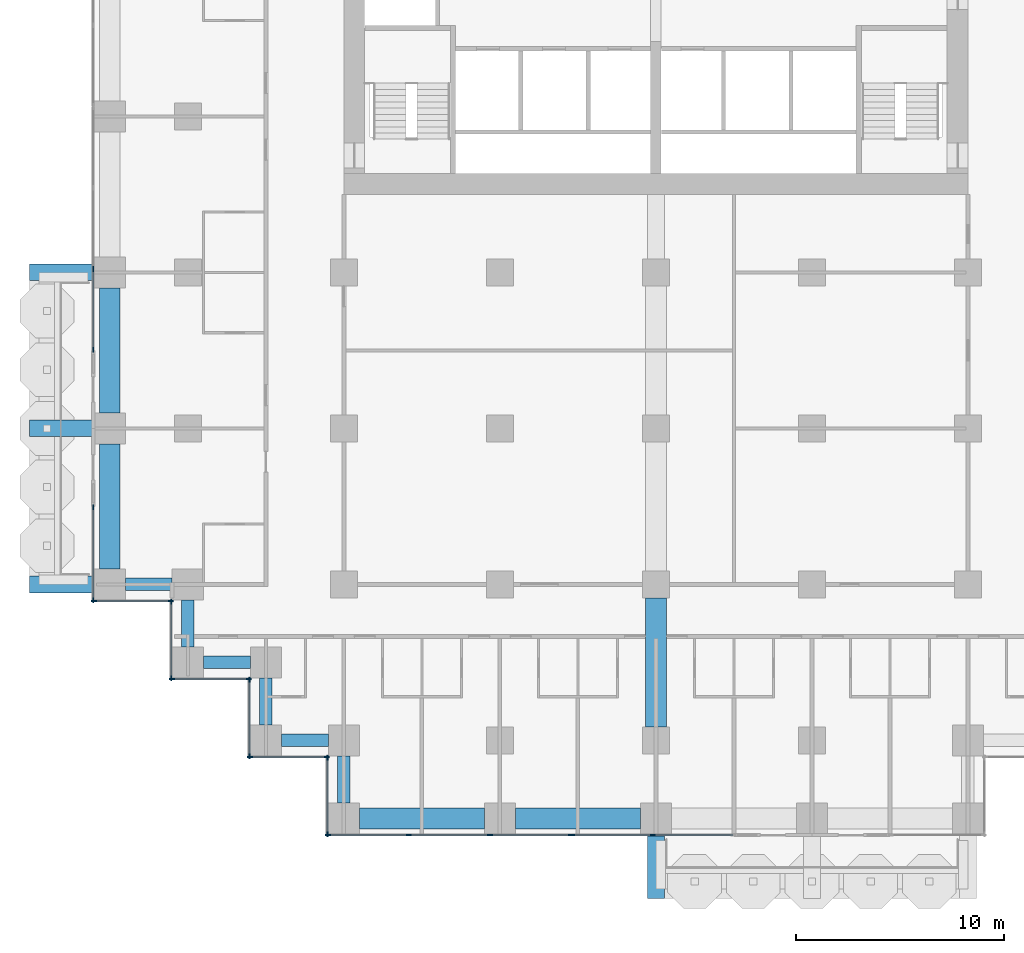
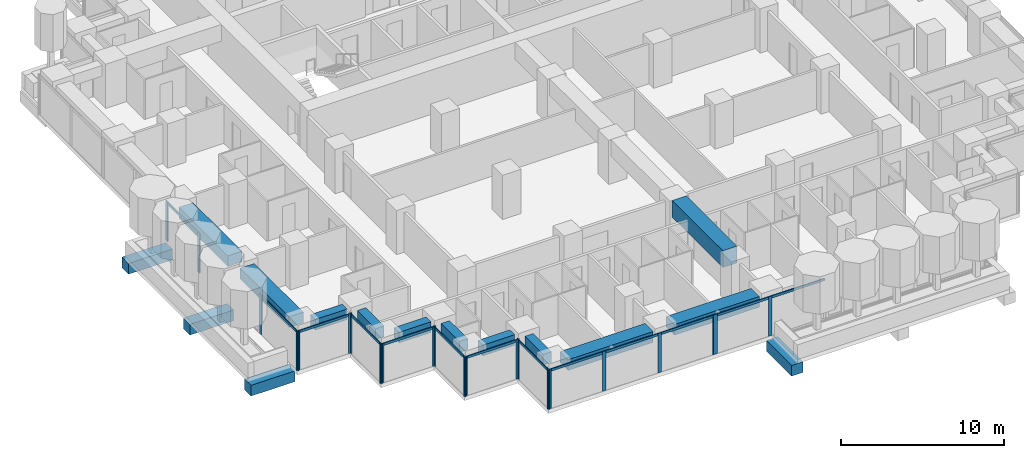
# One storey, part 2 of 20: 35 members, 15 beams, 10 elements without a shape of their own.
"""IFC4 building model written with IfcOpenShell, lengths in metres."""

from ifc_helpers import new_model, si_unit, direction, frame, origin, origin_2d, place, context, subcontext, project, spatial, rectangle, extrude, material, material_profile, profile_set, type_object, element, aggregate, save


model = new_model("IFC4")

# Units and contexts
model_context = context("Model", 3, precision=1e-05, world=origin(), true_north=direction((0.0, 1.0)))
body_context = subcontext(model_context, "Body", "Model", "MODEL_VIEW")
ifc_project = project(units=[si_unit("LENGTHUNIT", "METRE"), si_unit("AREAUNIT", "SQUARE_METRE"), si_unit("VOLUMEUNIT", "CUBIC_METRE"), si_unit("PLANEANGLEUNIT", "RADIAN"), si_unit("MASSUNIT", "GRAM", prefix="KILO")], contexts=[model_context])

# Site, building, storey
site_placement = place(None, origin())
site = spatial("IfcSite", under=ifc_project, at=site_placement, CompositionType="ELEMENT")
building_placement = place(site_placement, origin())
building = spatial("IfcBuilding", under=site, at=building_placement, Name="Pilkhan Gate Tower", CompositionType="ELEMENT")
storey_placement = place(building_placement, frame((0.0, 0.0, 98.89990234375)))
storey = spatial("IfcBuildingStorey", under=building, at=storey_placement, Name="L24", CompositionType="ELEMENT", Elevation=98.89990234375)

# Beams
ifc_material_1 = material(Name="Concrete C50/60", Category="concrete")
ifc_material_profile_1 = material_profile(ifc_material_1, rectangle(XDim=0.800048828125, YDim=0.800048828125, at=origin_2d()), Name="RC 800x800")
ifc_profile_set_1 = profile_set([ifc_material_profile_1], Name="Concrete C50/60")
beam_type_1 = type_object("IfcBeamType", Name="Cantilever beam CB2 RC 800x800 C50/60", PredefinedType="BEAM", material=ifc_profile_set_1)
for number, where, z_axis, x_axis, name in (
    (1, (75.0, 40.5, -0.699951171875), (0.0, -1.0, 0.0), (1.0, 0.0, 0.0), "Balcony beam S.1 L24"),
    (2, (48.0, 52.5, -0.699951171875), (-1.0, 0.0, 0.0), (0.0, -1.0, 0.0), "Balcony beam W.1 L24"),
    (3, (48.0, 60.0, -0.699951171875), (-1.0, 0.0, 0.0), (0.0, -1.0, 0.0), "Balcony beam W.2 L24"),
    (4, (48.0, 67.5, -0.699951171875), (-1.0, 0.0, 0.0), (0.0, -1.0, 0.0), "Balcony beam W.3 L24"),
):
    element("IfcBeam", number, at=place(storey_placement, frame(where, z_axis=z_axis, x_axis=x_axis)), inside=storey, type_object=beam_type_1, Name=name, PredefinedType="BEAM", context=body_context, shape_type="SweptSolid", body=[
        extrude(rectangle(XDim=0.800048828125, YDim=0.800048828125, at=origin_2d()), origin(), (0.0, 0.0, 1.0), 3.10009765625),
    ])

# Curtain wall, members
ifc_material_2 = material(Name="Pale anodised aluminium, clear low-iron double glazing", Category="aluminium")
curtain_wall_type = type_object("IfcCurtainWallType", Name="Hotel unitised curtain wall CW-H", PredefinedType="USERDEFINED", material=ifc_material_2)
curtain_wall_1_placement = place(storey_placement, origin())
curtain_wall_1 = element("IfcCurtainWall", 5, at=curtain_wall_1_placement, inside=storey, type_object=curtain_wall_type, Name="Hotel unitised curtain wall CW-H L24 W", ObjectType="UNITISED CURTAIN WALL", PredefinedType="USERDEFINED")
ifc_material_3 = material(Name="Pale anodised aluminium", Category="aluminium")
ifc_material_profile_2 = material_profile(ifc_material_3, rectangle(XDim=0.06494140625, YDim=0.25, at=origin_2d()), Name="Mullion 250x65")
ifc_profile_set_2 = profile_set([ifc_material_profile_2], Name="Pale anodised aluminium")
member_type_1 = type_object("IfcMemberType", Name="Mullion CW-H 250x65", PredefinedType="MULLION", material=ifc_profile_set_2)
member_1_placement = place(storey_placement, frame((47.955078125, 51.737548828125, 0.0), z_axis=(0.0, 0.0, 1.0), x_axis=(-1.0, 0.0, 0.0)))
member_1 = element("IfcMember", 6, at=member_1_placement, type_object=member_type_1, Name="CW-H mullion 1", PredefinedType="MULLION", context=body_context, shape_type="SweptSolid", body=[
    extrude(rectangle(XDim=0.06494140625, YDim=0.25, at=origin_2d()), origin(), (0.0, 0.0, 1.0), 2.9501953125),
])
member_2_placement = place(storey_placement, frame((47.955078125, 56.217529296875, 0.0), z_axis=(0.0, 0.0, 1.0), x_axis=(-1.0, 0.0, 0.0)))
member_2 = element("IfcMember", 7, at=member_2_placement, type_object=member_type_1, Name="CW-H mullion 2", PredefinedType="MULLION", context=body_context, shape_type="SweptSolid", body=[
    extrude(rectangle(XDim=0.06494140625, YDim=0.25, at=origin_2d()), origin(), (0.0, 0.0, 1.0), 2.9501953125),
])

curtain_wall_2_placement = place(storey_placement, origin())
curtain_wall_2 = element("IfcCurtainWall", 8, at=curtain_wall_2_placement, inside=storey, type_object=curtain_wall_type, Name="Hotel unitised curtain wall CW-H L24 W", ObjectType="UNITISED CURTAIN WALL", PredefinedType="USERDEFINED")
member_3_placement = place(storey_placement, frame((47.955078125, 63.782470703125, 0.0), z_axis=(0.0, 0.0, 1.0), x_axis=(-1.0, 0.0, 0.0)))
member_3 = element("IfcMember", 9, at=member_3_placement, type_object=member_type_1, Name="CW-H mullion 1", PredefinedType="MULLION", context=body_context, shape_type="SweptSolid", body=[
    extrude(rectangle(XDim=0.06494140625, YDim=0.25, at=origin_2d()), origin(), (0.0, 0.0, 1.0), 2.9501953125),
])
member_4_placement = place(storey_placement, frame((47.955078125, 67.658935546875, 0.0), z_axis=(0.0, 0.0, 1.0), x_axis=(-1.0, 0.0, 0.0)))
member_4 = element("IfcMember", 10, at=member_4_placement, type_object=member_type_1, Name="CW-H mullion 2", PredefinedType="MULLION", context=body_context, shape_type="SweptSolid", body=[
    extrude(rectangle(XDim=0.06494140625, YDim=0.25, at=origin_2d()), origin(), (0.0, 0.0, 1.0), 2.9501953125),
])

curtain_wall_3_placement = place(storey_placement, origin())
curtain_wall_3 = element("IfcCurtainWall", 11, at=curtain_wall_3_placement, inside=storey, type_object=curtain_wall_type, Name="Hotel unitised curtain wall CW-H L24 S", ObjectType="UNITISED CURTAIN WALL", PredefinedType="USERDEFINED")
member_5_placement = place(storey_placement, frame((47.987548828125, 51.705078125, 0.0), z_axis=(0.0, 0.0, 1.0), x_axis=(0.0, 1.0, 0.0)))
member_5 = element("IfcMember", 12, at=member_5_placement, type_object=member_type_1, Name="CW-H mullion 1", PredefinedType="MULLION", context=body_context, shape_type="SweptSolid", body=[
    extrude(rectangle(XDim=0.06494140625, YDim=0.25, at=origin_2d()), origin(), (0.0, 0.0, 1.0), 2.9501953125),
])
member_6_placement = place(storey_placement, frame((51.672607421875, 51.705078125, 0.0), z_axis=(0.0, 0.0, 1.0), x_axis=(0.0, 1.0, 0.0)))
member_6 = element("IfcMember", 13, at=member_6_placement, type_object=member_type_1, Name="CW-H mullion 2", PredefinedType="MULLION", context=body_context, shape_type="SweptSolid", body=[
    extrude(rectangle(XDim=0.06494140625, YDim=0.25, at=origin_2d()), origin(), (0.0, 0.0, 1.0), 2.9501953125),
])

curtain_wall_4_placement = place(storey_placement, origin())
curtain_wall_4 = element("IfcCurtainWall", 14, at=curtain_wall_4_placement, inside=storey, type_object=curtain_wall_type, Name="Hotel unitised curtain wall CW-H L24 W", ObjectType="UNITISED CURTAIN WALL", PredefinedType="USERDEFINED")
member_7_placement = place(storey_placement, frame((51.705078125, 47.987548828125, 0.0), z_axis=(0.0, 0.0, 1.0), x_axis=(-1.0, 0.0, 0.0)))
member_7 = element("IfcMember", 15, at=member_7_placement, type_object=member_type_1, Name="CW-H mullion 1", PredefinedType="MULLION", context=body_context, shape_type="SweptSolid", body=[
    extrude(rectangle(XDim=0.06494140625, YDim=0.25, at=origin_2d()), origin(), (0.0, 0.0, 1.0), 2.9501953125),
])
member_8_placement = place(storey_placement, frame((51.705078125, 51.672607421875, 0.0), z_axis=(0.0, 0.0, 1.0), x_axis=(-1.0, 0.0, 0.0)))
member_8 = element("IfcMember", 16, at=member_8_placement, type_object=member_type_1, Name="CW-H mullion 2", PredefinedType="MULLION", context=body_context, shape_type="SweptSolid", body=[
    extrude(rectangle(XDim=0.06494140625, YDim=0.25, at=origin_2d()), origin(), (0.0, 0.0, 1.0), 2.9501953125),
])

curtain_wall_5_placement = place(storey_placement, origin())
curtain_wall_5 = element("IfcCurtainWall", 17, at=curtain_wall_5_placement, inside=storey, type_object=curtain_wall_type, Name="Hotel unitised curtain wall CW-H L24 S", ObjectType="UNITISED CURTAIN WALL", PredefinedType="USERDEFINED")
member_9_placement = place(storey_placement, frame((51.737548828125, 47.955078125, 0.0), z_axis=(0.0, 0.0, 1.0), x_axis=(0.0, 1.0, 0.0)))
member_9 = element("IfcMember", 18, at=member_9_placement, type_object=member_type_1, Name="CW-H mullion 1", PredefinedType="MULLION", context=body_context, shape_type="SweptSolid", body=[
    extrude(rectangle(XDim=0.06494140625, YDim=0.25, at=origin_2d()), origin(), (0.0, 0.0, 1.0), 2.9501953125),
])
member_10_placement = place(storey_placement, frame((55.422607421875, 47.955078125, 0.0), z_axis=(0.0, 0.0, 1.0), x_axis=(0.0, 1.0, 0.0)))
member_10 = element("IfcMember", 19, at=member_10_placement, type_object=member_type_1, Name="CW-H mullion 2", PredefinedType="MULLION", context=body_context, shape_type="SweptSolid", body=[
    extrude(rectangle(XDim=0.06494140625, YDim=0.25, at=origin_2d()), origin(), (0.0, 0.0, 1.0), 2.9501953125),
])

curtain_wall_6_placement = place(storey_placement, origin())
curtain_wall_6 = element("IfcCurtainWall", 20, at=curtain_wall_6_placement, inside=storey, type_object=curtain_wall_type, Name="Hotel unitised curtain wall CW-H L24 W", ObjectType="UNITISED CURTAIN WALL", PredefinedType="USERDEFINED")
member_11_placement = place(storey_placement, frame((55.455078125, 44.237548828125, 0.0), z_axis=(0.0, 0.0, 1.0), x_axis=(-1.0, 0.0, 0.0)))
member_11 = element("IfcMember", 21, at=member_11_placement, type_object=member_type_1, Name="CW-H mullion 1", PredefinedType="MULLION", context=body_context, shape_type="SweptSolid", body=[
    extrude(rectangle(XDim=0.06494140625, YDim=0.25, at=origin_2d()), origin(), (0.0, 0.0, 1.0), 2.9501953125),
])
member_12_placement = place(storey_placement, frame((55.455078125, 47.922607421875, 0.0), z_axis=(0.0, 0.0, 1.0), x_axis=(-1.0, 0.0, 0.0)))
member_12 = element("IfcMember", 22, at=member_12_placement, type_object=member_type_1, Name="CW-H mullion 2", PredefinedType="MULLION", context=body_context, shape_type="SweptSolid", body=[
    extrude(rectangle(XDim=0.06494140625, YDim=0.25, at=origin_2d()), origin(), (0.0, 0.0, 1.0), 2.9501953125),
])

curtain_wall_7_placement = place(storey_placement, origin())
curtain_wall_7 = element("IfcCurtainWall", 23, at=curtain_wall_7_placement, inside=storey, type_object=curtain_wall_type, Name="Hotel unitised curtain wall CW-H L24 S", ObjectType="UNITISED CURTAIN WALL", PredefinedType="USERDEFINED")
member_13_placement = place(storey_placement, frame((55.487548828125, 44.205078125, 0.0), z_axis=(0.0, 0.0, 1.0), x_axis=(0.0, 1.0, 0.0)))
member_13 = element("IfcMember", 24, at=member_13_placement, type_object=member_type_1, Name="CW-H mullion 1", PredefinedType="MULLION", context=body_context, shape_type="SweptSolid", body=[
    extrude(rectangle(XDim=0.06494140625, YDim=0.25, at=origin_2d()), origin(), (0.0, 0.0, 1.0), 2.9501953125),
])
member_14_placement = place(storey_placement, frame((59.172607421875, 44.205078125, 0.0), z_axis=(0.0, 0.0, 1.0), x_axis=(0.0, 1.0, 0.0)))
member_14 = element("IfcMember", 25, at=member_14_placement, type_object=member_type_1, Name="CW-H mullion 2", PredefinedType="MULLION", context=body_context, shape_type="SweptSolid", body=[
    extrude(rectangle(XDim=0.06494140625, YDim=0.25, at=origin_2d()), origin(), (0.0, 0.0, 1.0), 2.9501953125),
])

curtain_wall_8_placement = place(storey_placement, origin())
curtain_wall_8 = element("IfcCurtainWall", 26, at=curtain_wall_8_placement, inside=storey, type_object=curtain_wall_type, Name="Hotel unitised curtain wall CW-H L24 W", ObjectType="UNITISED CURTAIN WALL", PredefinedType="USERDEFINED")
member_15_placement = place(storey_placement, frame((59.205078125, 40.487548828125, 0.0), z_axis=(0.0, 0.0, 1.0), x_axis=(-1.0, 0.0, 0.0)))
member_15 = element("IfcMember", 27, at=member_15_placement, type_object=member_type_1, Name="CW-H mullion 1", PredefinedType="MULLION", context=body_context, shape_type="SweptSolid", body=[
    extrude(rectangle(XDim=0.06494140625, YDim=0.25, at=origin_2d()), origin(), (0.0, 0.0, 1.0), 2.9501953125),
])
member_16_placement = place(storey_placement, frame((59.205078125, 44.172607421875, 0.0), z_axis=(0.0, 0.0, 1.0), x_axis=(-1.0, 0.0, 0.0)))
member_16 = element("IfcMember", 28, at=member_16_placement, type_object=member_type_1, Name="CW-H mullion 2", PredefinedType="MULLION", context=body_context, shape_type="SweptSolid", body=[
    extrude(rectangle(XDim=0.06494140625, YDim=0.25, at=origin_2d()), origin(), (0.0, 0.0, 1.0), 2.9501953125),
])

curtain_wall_9_placement = place(storey_placement, origin())
curtain_wall_9 = element("IfcCurtainWall", 29, at=curtain_wall_9_placement, inside=storey, type_object=curtain_wall_type, Name="Hotel unitised curtain wall CW-H L24 S", ObjectType="UNITISED CURTAIN WALL", PredefinedType="USERDEFINED")
member_17_placement = place(storey_placement, frame((59.237548828125, 40.455078125, 0.0), z_axis=(0.0, 0.0, 1.0), x_axis=(0.0, 1.0, 0.0)))
member_17 = element("IfcMember", 30, at=member_17_placement, type_object=member_type_1, Name="CW-H mullion 1", PredefinedType="MULLION", context=body_context, shape_type="SweptSolid", body=[
    extrude(rectangle(XDim=0.06494140625, YDim=0.25, at=origin_2d()), origin(), (0.0, 0.0, 1.0), 2.9501953125),
])
member_18_placement = place(storey_placement, frame((63.114013671875, 40.455078125, 0.0), z_axis=(0.0, 0.0, 1.0), x_axis=(0.0, 1.0, 0.0)))
member_18 = element("IfcMember", 31, at=member_18_placement, type_object=member_type_1, Name="CW-H mullion 2", PredefinedType="MULLION", context=body_context, shape_type="SweptSolid", body=[
    extrude(rectangle(XDim=0.06494140625, YDim=0.25, at=origin_2d()), origin(), (0.0, 0.0, 1.0), 2.9501953125),
])
member_19_placement = place(storey_placement, frame((67.02294921875, 40.455078125, 0.0), z_axis=(0.0, 0.0, 1.0), x_axis=(0.0, 1.0, 0.0)))
member_19 = element("IfcMember", 32, at=member_19_placement, type_object=member_type_1, Name="CW-H mullion 3", PredefinedType="MULLION", context=body_context, shape_type="SweptSolid", body=[
    extrude(rectangle(XDim=0.06494140625, YDim=0.25, at=origin_2d()), origin(), (0.0, 0.0, 1.0), 2.9501953125),
])
member_20_placement = place(storey_placement, frame((70.8994140625, 40.455078125, 0.0), z_axis=(0.0, 0.0, 1.0), x_axis=(0.0, 1.0, 0.0)))
member_20 = element("IfcMember", 33, at=member_20_placement, type_object=member_type_1, Name="CW-H mullion 4", PredefinedType="MULLION", context=body_context, shape_type="SweptSolid", body=[
    extrude(rectangle(XDim=0.06494140625, YDim=0.25, at=origin_2d()), origin(), (0.0, 0.0, 1.0), 2.9501953125),
])

curtain_wall_10_placement = place(storey_placement, origin())
curtain_wall_10 = element("IfcCurtainWall", 34, at=curtain_wall_10_placement, inside=storey, type_object=curtain_wall_type, Name="Hotel unitised curtain wall CW-H L24 S", ObjectType="UNITISED CURTAIN WALL", PredefinedType="USERDEFINED")
member_21_placement = place(storey_placement, frame((70.964599609375, 40.455078125, 0.0), z_axis=(0.0, 0.0, 1.0), x_axis=(0.0, 1.0, 0.0)))
member_21 = element("IfcMember", 35, at=member_21_placement, type_object=member_type_1, Name="CW-H mullion 1", PredefinedType="MULLION", context=body_context, shape_type="SweptSolid", body=[
    extrude(rectangle(XDim=0.06494140625, YDim=0.25, at=origin_2d()), origin(), (0.0, 0.0, 1.0), 2.9501953125),
])
member_22_placement = place(storey_placement, frame((74.841064453125, 40.455078125, 0.0), z_axis=(0.0, 0.0, 1.0), x_axis=(0.0, 1.0, 0.0)))
member_22 = element("IfcMember", 36, at=member_22_placement, type_object=member_type_1, Name="CW-H mullion 2", PredefinedType="MULLION", context=body_context, shape_type="SweptSolid", body=[
    extrude(rectangle(XDim=0.06494140625, YDim=0.25, at=origin_2d()), origin(), (0.0, 0.0, 1.0), 2.9501953125),
])

# Beams
ifc_material_4 = material(Name="Concrete C60/75", Category="concrete")
ifc_material_profile_3 = material_profile(ifc_material_4, rectangle(XDim=1.0, YDim=1.25, at=origin_2d()), Name="RC 1000x1250")
ifc_profile_set_3 = profile_set([ifc_material_profile_3], Name="Concrete C60/75")
beam_type_2 = type_object("IfcBeamType", Name="Outrigger support beam OB2 RC 1000x1250 C60/75", PredefinedType="BEAM", material=ifc_profile_set_3)
beam_placement = place(storey_placement, frame((75.0, 45.64990234375, 2.675048828125), z_axis=(0.0, 1.0, 0.0), x_axis=(-1.0, 0.0, 0.0)))
element("IfcBeam", 37, at=beam_placement, inside=storey, type_object=beam_type_2, Name="Outrigger support beam 1 L25", PredefinedType="BEAM", context=body_context, shape_type="SweptSolid", body=[
    extrude(rectangle(XDim=1.0, YDim=1.25, at=origin_2d()), origin(), (0.0, 0.0, 1.0), 6.2001953125),
])
ifc_material_profile_4 = material_profile(ifc_material_1, rectangle(XDim=0.60009765625, YDim=0.800048828125, at=origin_2d()), Name="RC 600x800")
ifc_profile_set_4 = profile_set([ifc_material_profile_4], Name="Concrete C50/60")
beam_type_3 = type_object("IfcBeamType", Name="Terrace edge beam TEB RC 600x800 C50/60", PredefinedType="BEAM", material=ifc_profile_set_4)
for number, where, z_axis, x_axis, name in (
    (38, (60.0, 42.0, 2.550048828125), (0.0, 1.0, 0.0), (-1.0, 0.0, 0.0), "Terrace edge beam 11 L25"),
    (39, (59.25, 45.0, 2.550048828125), (-1.0, 0.0, 0.0), (0.0, -1.0, 0.0), "Terrace edge beam 12 L25"),
    (40, (56.25, 45.75, 2.550048828125), (0.0, 1.0, 0.0), (-1.0, 0.0, 0.0), "Terrace edge beam 13 L25"),
    (41, (55.5, 48.75, 2.550048828125), (-1.0, 0.0, 0.0), (0.0, -1.0, 0.0), "Terrace edge beam 14 L25"),
    (42, (52.5, 49.5, 2.550048828125), (0.0, 1.0, 0.0), (-1.0, 0.0, 0.0), "Terrace edge beam 15 L25"),
    (43, (51.75, 52.5, 2.550048828125), (-1.0, 0.0, 0.0), (0.0, -1.0, 0.0), "Terrace edge beam 16 L25"),
):
    element("IfcBeam", number, at=place(storey_placement, frame(where, z_axis=z_axis, x_axis=x_axis)), inside=storey, type_object=beam_type_3, Name=name, PredefinedType="BEAM", context=body_context, shape_type="SweptSolid", body=[
        extrude(rectangle(XDim=0.60009765625, YDim=0.800048828125, at=origin_2d()), origin(), (0.0, 0.0, 1.0), 2.25),
    ])
ifc_material_profile_5 = material_profile(ifc_material_1, rectangle(XDim=1.0, YDim=0.800048828125, at=origin_2d()), Name="RC 1000x800")
ifc_profile_set_5 = profile_set([ifc_material_profile_5], Name="Concrete C50/60")
beam_type_4 = type_object("IfcBeamType", Name="Terrace edge beam TEB10W RC 1000x800 C50/60", PredefinedType="BEAM", material=ifc_profile_set_5)
for number, where, z_axis, x_axis, name in (
    (44, (74.25, 41.25, 2.550048828125), (-1.0, 0.0, 0.0), (0.0, -1.0, 0.0), "Terrace edge beam 9 L25"),
    (45, (66.75, 41.25, 2.550048828125), (-1.0, 0.0, 0.0), (0.0, -1.0, 0.0), "Terrace edge beam 10 L25"),
    (46, (48.75, 53.25, 2.550048828125), (0.0, 1.0, 0.0), (-1.0, 0.0, 0.0), "Terrace edge beam 17 L25"),
    (47, (48.75, 60.75, 2.550048828125), (0.0, 1.0, 0.0), (-1.0, 0.0, 0.0), "Terrace edge beam 18 L25"),
):
    element("IfcBeam", number, at=place(storey_placement, frame(where, z_axis=z_axis, x_axis=x_axis)), inside=storey, type_object=beam_type_4, Name=name, PredefinedType="BEAM", context=body_context, shape_type="SweptSolid", body=[
        extrude(rectangle(XDim=1.0, YDim=0.800048828125, at=origin_2d()), origin(), (0.0, 0.0, 1.0), 6.0),
    ])

# Member
ifc_material_profile_6 = material_profile(ifc_material_3, rectangle(XDim=0.06494140625, YDim=0.179931640625, at=origin_2d()), Name="Transom 180x65")
ifc_profile_set_6 = profile_set([ifc_material_profile_6], Name="Pale anodised aluminium")
member_type_2 = type_object("IfcMemberType", Name="Transom CW-H 180x65", PredefinedType="USERDEFINED", material=ifc_profile_set_6)
member_23_placement = place(storey_placement, frame((47.955078125, 51.77001953125, 2.860107421875), z_axis=(0.0, 1.0, 0.0), x_axis=(-1.0, 0.0, 0.0)))
member_23 = element("IfcMember", 48, at=member_23_placement, type_object=member_type_2, Name="CW-H transom 1", ObjectType="TRANSOM", PredefinedType="USERDEFINED", context=body_context, shape_type="SweptSolid", body=[
    extrude(rectangle(XDim=0.06494140625, YDim=0.179931640625, at=origin_2d()), origin(), (0.0, 0.0, 1.0), 4.4150390625),
])

aggregate(curtain_wall_1, [member_1, member_2, member_23])

member_24_placement = place(storey_placement, frame((47.955078125, 63.81494140625, 2.860107421875), z_axis=(0.0, 1.0, 0.0), x_axis=(-1.0, 0.0, 0.0)))
member_24 = element("IfcMember", 49, at=member_24_placement, type_object=member_type_2, Name="CW-H transom 1", ObjectType="TRANSOM", PredefinedType="USERDEFINED", context=body_context, shape_type="SweptSolid", body=[
    extrude(rectangle(XDim=0.06494140625, YDim=0.179931640625, at=origin_2d()), origin(), (0.0, 0.0, 1.0), 3.8115234375),
])

aggregate(curtain_wall_2, [member_3, member_4, member_24])

member_25_placement = place(storey_placement, frame((48.02001953125, 51.705078125, 2.860107421875), z_axis=(1.0, 0.0, 0.0), x_axis=(0.0, 1.0, 0.0)))
member_25 = element("IfcMember", 50, at=member_25_placement, type_object=member_type_2, Name="CW-H transom 1", ObjectType="TRANSOM", PredefinedType="USERDEFINED", context=body_context, shape_type="SweptSolid", body=[
    extrude(rectangle(XDim=0.06494140625, YDim=0.179931640625, at=origin_2d()), origin(), (0.0, 0.0, 1.0), 3.619873046875),
])

aggregate(curtain_wall_3, [member_5, member_6, member_25])

member_26_placement = place(storey_placement, frame((51.705078125, 48.02001953125, 2.860107421875), z_axis=(0.0, 1.0, 0.0), x_axis=(-1.0, 0.0, 0.0)))
member_26 = element("IfcMember", 51, at=member_26_placement, type_object=member_type_2, Name="CW-H transom 1", ObjectType="TRANSOM", PredefinedType="USERDEFINED", context=body_context, shape_type="SweptSolid", body=[
    extrude(rectangle(XDim=0.06494140625, YDim=0.179931640625, at=origin_2d()), origin(), (0.0, 0.0, 1.0), 3.619873046875),
])

aggregate(curtain_wall_4, [member_7, member_8, member_26])

member_27_placement = place(storey_placement, frame((51.77001953125, 47.955078125, 2.860107421875), z_axis=(1.0, 0.0, 0.0), x_axis=(0.0, 1.0, 0.0)))
member_27 = element("IfcMember", 52, at=member_27_placement, type_object=member_type_2, Name="CW-H transom 1", ObjectType="TRANSOM", PredefinedType="USERDEFINED", context=body_context, shape_type="SweptSolid", body=[
    extrude(rectangle(XDim=0.06494140625, YDim=0.179931640625, at=origin_2d()), origin(), (0.0, 0.0, 1.0), 3.619873046875),
])

aggregate(curtain_wall_5, [member_9, member_10, member_27])

member_28_placement = place(storey_placement, frame((55.455078125, 44.27001953125, 2.860107421875), z_axis=(0.0, 1.0, 0.0), x_axis=(-1.0, 0.0, 0.0)))
member_28 = element("IfcMember", 53, at=member_28_placement, type_object=member_type_2, Name="CW-H transom 1", ObjectType="TRANSOM", PredefinedType="USERDEFINED", context=body_context, shape_type="SweptSolid", body=[
    extrude(rectangle(XDim=0.06494140625, YDim=0.179931640625, at=origin_2d()), origin(), (0.0, 0.0, 1.0), 3.619873046875),
])

aggregate(curtain_wall_6, [member_11, member_12, member_28])

member_29_placement = place(storey_placement, frame((55.52001953125, 44.205078125, 2.860107421875), z_axis=(1.0, 0.0, 0.0), x_axis=(0.0, 1.0, 0.0)))
member_29 = element("IfcMember", 54, at=member_29_placement, type_object=member_type_2, Name="CW-H transom 1", ObjectType="TRANSOM", PredefinedType="USERDEFINED", context=body_context, shape_type="SweptSolid", body=[
    extrude(rectangle(XDim=0.06494140625, YDim=0.179931640625, at=origin_2d()), origin(), (0.0, 0.0, 1.0), 3.619873046875),
])

aggregate(curtain_wall_7, [member_13, member_14, member_29])

member_30_placement = place(storey_placement, frame((59.205078125, 40.52001953125, 2.860107421875), z_axis=(0.0, 1.0, 0.0), x_axis=(-1.0, 0.0, 0.0)))
member_30 = element("IfcMember", 55, at=member_30_placement, type_object=member_type_2, Name="CW-H transom 1", ObjectType="TRANSOM", PredefinedType="USERDEFINED", context=body_context, shape_type="SweptSolid", body=[
    extrude(rectangle(XDim=0.06494140625, YDim=0.179931640625, at=origin_2d()), origin(), (0.0, 0.0, 1.0), 3.619873046875),
])

aggregate(curtain_wall_8, [member_15, member_16, member_30])

member_31_placement = place(storey_placement, frame((59.27001953125, 40.455078125, 2.860107421875), z_axis=(1.0, 0.0, 0.0), x_axis=(0.0, 1.0, 0.0)))
member_31 = element("IfcMember", 56, at=member_31_placement, type_object=member_type_2, Name="CW-H transom 1", ObjectType="TRANSOM", PredefinedType="USERDEFINED", context=body_context, shape_type="SweptSolid", body=[
    extrude(rectangle(XDim=0.06494140625, YDim=0.179931640625, at=origin_2d()), origin(), (0.0, 0.0, 1.0), 3.8115234375),
])

member_32_placement = place(storey_placement, frame((63.146484375, 40.455078125, 2.860107421875), z_axis=(1.0, 0.0, 0.0), x_axis=(0.0, 1.0, 0.0)))
member_32 = element("IfcMember", 57, at=member_32_placement, type_object=member_type_2, Name="CW-H transom 2", ObjectType="TRANSOM", PredefinedType="USERDEFINED", context=body_context, shape_type="SweptSolid", body=[
    extrude(rectangle(XDim=0.06494140625, YDim=0.179931640625, at=origin_2d()), origin(), (0.0, 0.0, 1.0), 3.843994140625),
])

member_33_placement = place(storey_placement, frame((67.055419921875, 40.455078125, 2.860107421875), z_axis=(1.0, 0.0, 0.0), x_axis=(0.0, 1.0, 0.0)))
member_33 = element("IfcMember", 58, at=member_33_placement, type_object=member_type_2, Name="CW-H transom 3", ObjectType="TRANSOM", PredefinedType="USERDEFINED", context=body_context, shape_type="SweptSolid", body=[
    extrude(rectangle(XDim=0.06494140625, YDim=0.179931640625, at=origin_2d()), origin(), (0.0, 0.0, 1.0), 3.8115234375),
])

aggregate(curtain_wall_9, [member_17, member_18, member_19, member_20, member_31, member_32, member_33])

member_34_placement = place(storey_placement, frame((70.9970703125, 40.455078125, 2.860107421875), z_axis=(1.0, 0.0, 0.0), x_axis=(0.0, 1.0, 0.0)))
member_34 = element("IfcMember", 59, at=member_34_placement, type_object=member_type_2, Name="CW-H transom 1", ObjectType="TRANSOM", PredefinedType="USERDEFINED", context=body_context, shape_type="SweptSolid", body=[
    extrude(rectangle(XDim=0.06494140625, YDim=0.179931640625, at=origin_2d()), origin(), (0.0, 0.0, 1.0), 3.8115234375),
])

member_35_placement = place(storey_placement, frame((74.87353515625, 40.455078125, 2.860107421875), z_axis=(1.0, 0.0, 0.0), x_axis=(0.0, 1.0, 0.0)))
member_35 = element("IfcMember", 60, at=member_35_placement, type_object=member_type_2, Name="CW-H transom 2", ObjectType="TRANSOM", PredefinedType="USERDEFINED", context=body_context, shape_type="SweptSolid", body=[
    extrude(rectangle(XDim=0.06494140625, YDim=0.179931640625, at=origin_2d()), origin(), (0.0, 0.0, 1.0), 3.8115234375),
])

aggregate(curtain_wall_10, [member_21, member_22, member_34, member_35])

save(model, "model.ifc")
